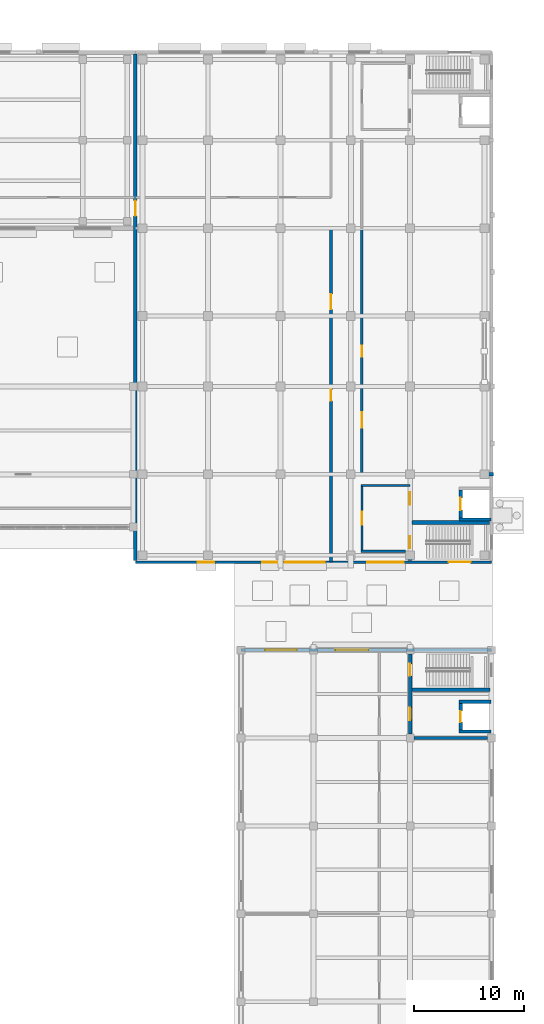
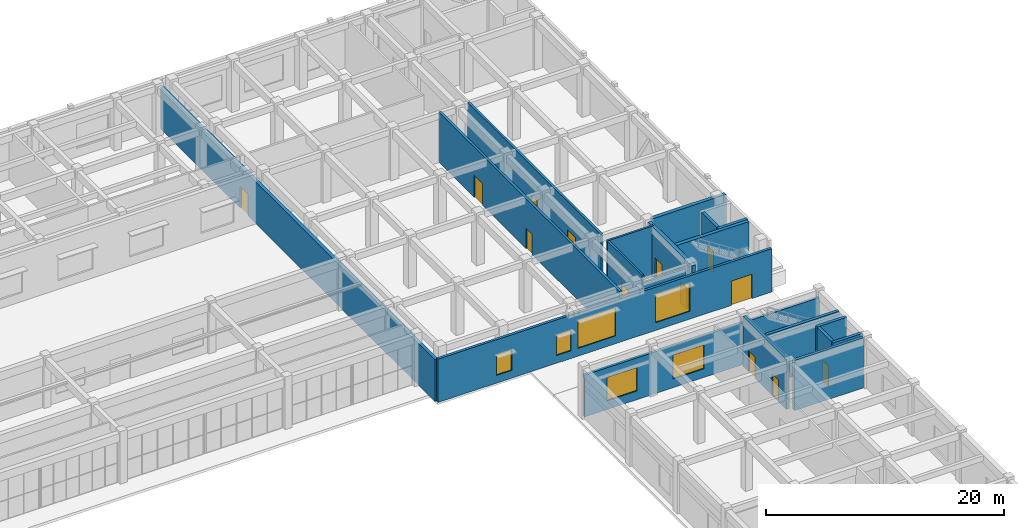
# One storey, part 35 of 46: 19 walls, 13 doors, 6 windows, 19 openings.
"""IFC4 building model written with IfcOpenShell, lengths in metres."""

from ifc_helpers import new_model, si_unit, direction, frame, frame_2d, origin, place, context, subcontext, project, spatial, rectangle, extrude, material, layer, layer_set, type_object, element, fill, save


model = new_model("IFC4")

# Units and contexts
model_context = context("Model", 3, precision=1e-05, world=origin(), true_north=direction((0.0, 1.0)))
body_context = subcontext(model_context, "Body", "Model", "MODEL_VIEW")
ifc_project = project(units=[si_unit("LENGTHUNIT", "METRE"), si_unit("AREAUNIT", "SQUARE_METRE"), si_unit("VOLUMEUNIT", "CUBIC_METRE"), si_unit("PLANEANGLEUNIT", "RADIAN"), si_unit("MASSUNIT", "GRAM", prefix="KILO")], contexts=[model_context])

# Site, building, storey
site_placement = place(None, origin())
site = spatial("IfcSite", under=ifc_project, at=site_placement, CompositionType="ELEMENT")
building_placement = place(site_placement, origin())
building = spatial("IfcBuilding", under=site, at=building_placement, Name="Cinchona Park Media Centre", CompositionType="ELEMENT")
storey_placement = place(building_placement, origin())
storey = spatial("IfcBuildingStorey", under=building, at=storey_placement, Name="L00", CompositionType="ELEMENT", Elevation=0.0)

# Wall, openings, doors
ifc_material_1 = material(Name="Acoustic Double-Stud Gypsum Partition", Category="gypsum")
ifc_layer_1 = layer(ifc_material_1, 0.2099609375)
ifc_layer_set_1 = layer_set([ifc_layer_1], Name="Acoustic Double-Stud Gypsum Partition")
wall_type_1 = type_object("IfcWallType", Name="WALL-W-AC210", PredefinedType="PARTITIONING", material=ifc_layer_set_1)
wall_1_placement = place(storey_placement, frame((160.199951171875, 102.0, 0.0), z_axis=(0.0, 0.0, 1.0), x_axis=(0.0, -1.0, 0.0)))
wall_1 = element("IfcWall", 1, at=wall_1_placement, inside=storey, type_object=wall_type_1, Name="Interior Wall W-AC210 L00", PredefinedType="PARTITIONING", context=body_context, shape_type="SweptSolid", body=[
    extrude(rectangle(XDim=22.39990234375, YDim=0.2099609375, at=frame_2d((11.199951171875, 0.0))), origin(), (0.0, 0.0, 1.0), 5.139892578125),
])
opening_1_placement = place(wall_1_placement, frame((10.7099609375, 0.0, 0.0)))
opening_1 = element("IfcOpeningElement", 2, at=opening_1_placement, cuts=wall_1, Name="Opening D222", PredefinedType="OPENING", context=body_context, shape_type="SweptSolid", body=[
    extrude(rectangle(XDim=0.97998046875, YDim=2.10009765625, at=frame_2d((0.489990234375, 1.050048828125))), frame((0.0, 0.114990234375, 0.0), z_axis=(0.0, -1.0, 0.0), x_axis=(1.0, 0.0, 0.0)), (0.0, 0.0, 1.0), 0.22998046875),
])
opening_2_placement = place(wall_1_placement, frame((16.77197265625, 0.0, 0.0)))
opening_2 = element("IfcOpeningElement", 3, at=opening_2_placement, cuts=wall_1, Name="Opening D223", PredefinedType="OPENING", context=body_context, shape_type="SweptSolid", body=[
    extrude(rectangle(XDim=1.39990234375, YDim=2.25, at=frame_2d((0.699951171875, 1.125))), frame((0.0, 0.114990234375, 0.0), z_axis=(0.0, -1.0, 0.0), x_axis=(1.0, 0.0, 0.0)), (0.0, 0.0, 1.0), 0.22998046875),
])
ifc_material_2 = material(Name="Acoustic Double-Seal Steel Door", Category="steel")
door_type_1 = type_object("IfcDoorType", Name="DOOR-DT-AC", OperationType="NOTDEFINED", PredefinedType="DOOR", material=ifc_material_2)
door_1_placement = place(opening_2_placement, origin())
door_1 = element("IfcDoor", 4, at=door_1_placement, inside=storey, type_object=door_type_1, Name="Interior Door D223", OperationType="SINGLE_SWING_LEFT", OverallHeight=2.25, OverallWidth=1.39990234375, PredefinedType="DOOR", context=body_context, shape_type="SweptSolid", body=[
    extrude(rectangle(XDim=1.39990234375, YDim=2.25, at=frame_2d((0.699951171875, 1.125))), frame((0.0, 0.02490234375, 0.0), z_axis=(0.0, -1.0, 0.0), x_axis=(1.0, 0.0, 0.0)), (0.0, 0.0, 1.0), 0.050048828125),
])
fill(opening_2, door_1)
ifc_material_3 = material(Name="Fire-Rated Acoustic Timber-Steel Door", Category="steel")
door_type_2 = type_object("IfcDoorType", Name="DOOR-DT03", OperationType="NOTDEFINED", PredefinedType="DOOR", material=ifc_material_3)
door_2_placement = place(opening_1_placement, origin())
door_2 = element("IfcDoor", 5, at=door_2_placement, inside=storey, type_object=door_type_2, Name="Interior Door D222", OperationType="SINGLE_SWING_RIGHT", OverallHeight=2.10009765625, OverallWidth=0.97998046875, PredefinedType="DOOR", context=body_context, shape_type="SweptSolid", body=[
    extrude(rectangle(XDim=0.97998046875, YDim=2.10009765625, at=frame_2d((0.489990234375, 1.050048828125))), frame((0.0, 0.02490234375, 0.0), z_axis=(0.0, -1.0, 0.0), x_axis=(1.0, 0.0, 0.0)), (0.0, 0.0, 1.0), 0.050048828125),
])
fill(opening_1, door_2)

ifc_material_4 = material(Name="Acoustic Double-Stud Gypsum Partition", Category="gypsum")
ifc_layer_2 = layer(ifc_material_4, 0.239990234375)
ifc_layer_set_2 = layer_set([ifc_layer_2], Name="Acoustic Double-Stud Gypsum Partition")
wall_type_2 = type_object("IfcWallType", Name="WALL-W-AC240", PredefinedType="PARTITIONING", material=ifc_layer_set_2)
wall_2_placement = place(storey_placement, frame((157.39990234375, 71.60009765625, 0.0), z_axis=(0.0, 0.0, 1.0), x_axis=(0.0, 1.0, 0.0)))
wall_2 = element("IfcWall", 6, at=wall_2_placement, inside=storey, type_object=wall_type_2, Name="Interior Wall W-AC240 L00", PredefinedType="PARTITIONING", context=body_context, shape_type="SweptSolid", body=[
    extrude(rectangle(XDim=30.39990234375, YDim=0.239990234375, at=frame_2d((15.199951171875, 0.0))), origin(), (0.0, 0.0, 1.0), 5.139892578125),
])
opening_3_placement = place(wall_2_placement, frame((14.68994140625, 0.0, 0.0)))
opening_3 = element("IfcOpeningElement", 7, at=opening_3_placement, cuts=wall_2, Name="Opening D218", PredefinedType="OPENING", context=body_context, shape_type="SweptSolid", body=[
    extrude(rectangle(XDim=1.02001953125, YDim=2.10009765625, at=frame_2d((0.510009765625, 1.050048828125))), frame((0.0, 0.1298828125, 0.0), z_axis=(0.0, -1.0, 0.0), x_axis=(1.0, 0.0, 0.0)), (0.0, 0.0, 1.0), 0.260009765625),
])
opening_4_placement = place(wall_2_placement, frame((23.011962890625, 0.0, 0.0)))
opening_4 = element("IfcOpeningElement", 8, at=opening_4_placement, cuts=wall_2, Name="Opening D219", PredefinedType="OPENING", context=body_context, shape_type="SweptSolid", body=[
    extrude(rectangle(XDim=1.39990234375, YDim=2.25, at=frame_2d((0.699951171875, 1.125))), frame((0.0, 0.1298828125, 0.0), z_axis=(0.0, -1.0, 0.0), x_axis=(1.0, 0.0, 0.0)), (0.0, 0.0, 1.0), 0.260009765625),
])
door_3_placement = place(opening_4_placement, origin())
door_3 = element("IfcDoor", 9, at=door_3_placement, inside=storey, type_object=door_type_1, Name="Interior Door D219", OperationType="SINGLE_SWING_LEFT", OverallHeight=2.25, OverallWidth=1.39990234375, PredefinedType="DOOR", context=body_context, shape_type="SweptSolid", body=[
    extrude(rectangle(XDim=1.39990234375, YDim=2.25, at=frame_2d((0.699951171875, 1.125))), frame((0.0, 0.02490234375, 0.0), z_axis=(0.0, -1.0, 0.0), x_axis=(1.0, 0.0, 0.0)), (0.0, 0.0, 1.0), 0.050048828125),
])
fill(opening_4, door_3)
ifc_material_5 = material(Name="Solid-Core Timber Acoustic Door", Category="wood")
door_type_3 = type_object("IfcDoorType", Name="DOOR-DT05", OperationType="NOTDEFINED", PredefinedType="DOOR", material=ifc_material_5)
door_4_placement = place(opening_3_placement, origin())
door_4 = element("IfcDoor", 10, at=door_4_placement, inside=storey, type_object=door_type_3, Name="Interior Door D218", OperationType="SINGLE_SWING_RIGHT", OverallHeight=2.10009765625, OverallWidth=1.02001953125, PredefinedType="DOOR", context=body_context, shape_type="SweptSolid", body=[
    extrude(rectangle(XDim=1.02001953125, YDim=2.10009765625, at=frame_2d((0.510009765625, 1.050048828125))), frame((0.0, 0.02490234375, 0.0), z_axis=(0.0, -1.0, 0.0), x_axis=(1.0, 0.0, 0.0)), (0.0, 0.0, 1.0), 0.050048828125),
])
fill(opening_3, door_4)

# Wall
ifc_material_6 = material(Name="Concrete C40/50", Category="concrete")
ifc_layer_3 = layer(ifc_material_6, 0.300048828125)
ifc_layer_set_3 = layer_set([ifc_layer_3], Name="Concrete C40/50")
wall_type_3 = type_object("IfcWallType", Name="WALL-W-CR300", PredefinedType="SHEAR", material=ifc_layer_set_3)
wall_3_placement = place(storey_placement, frame((164.951904296875, 55.60009765625, 0.0), z_axis=(0.0, 0.0, 1.0), x_axis=(1.0, 0.0, 0.0)))
element("IfcWall", 11, at=wall_3_placement, inside=storey, type_object=wall_type_3, Name="Core Shear Wall W-CR300 L00", PredefinedType="SHEAR", context=body_context, shape_type="SweptSolid", body=[
    extrude(rectangle(XDim=6.696044921875, YDim=0.300048828125, at=frame_2d((3.34814453125, 0.0))), origin(), (0.0, 0.0, 1.0), 5.139892578125),
])

# Wall, openings, doors
wall_4_placement = place(storey_placement, frame((164.60009765625, 55.951904296875, 0.0), z_axis=(0.0, 0.0, 1.0), x_axis=(0.0, 1.0, 0.0)))
wall_4 = element("IfcWall", 12, at=wall_4_placement, inside=storey, type_object=wall_type_3, Name="Core Shear Wall W-CR300 L00", PredefinedType="SHEAR", context=body_context, shape_type="SweptSolid", body=[
    extrude(rectangle(XDim=7.296142578125, YDim=0.300048828125, at=frame_2d((3.64794921875, 0.0))), origin(), (0.0, 0.0, 1.0), 5.139892578125),
])
opening_5_placement = place(wall_4_placement, frame((5.298095703125, 0.0, 0.0)))
opening_5 = element("IfcOpeningElement", 13, at=opening_5_placement, cuts=wall_4, Name="Opening D056", PredefinedType="OPENING", context=body_context, shape_type="SweptSolid", body=[
    extrude(rectangle(XDim=1.10009765625, YDim=2.14990234375, at=frame_2d((0.550048828125, 1.074951171875))), frame((0.0, 0.159912109375, 0.0), z_axis=(0.0, -1.0, 0.0), x_axis=(1.0, 0.0, 0.0)), (0.0, 0.0, 1.0), 0.320068359375),
])
opening_6_placement = place(wall_4_placement, frame((1.27294921875, 0.0, 0.0)))
opening_6 = element("IfcOpeningElement", 14, at=opening_6_placement, cuts=wall_4, Name="Opening D057", PredefinedType="OPENING", context=body_context, shape_type="SweptSolid", body=[
    extrude(rectangle(XDim=1.14990234375, YDim=2.199951171875, at=frame_2d((0.574951171875, 1.10009765625))), frame((0.0, 0.159912109375, 0.0), z_axis=(0.0, -1.0, 0.0), x_axis=(1.0, 0.0, 0.0)), (0.0, 0.0, 1.0), 0.320068359375),
])
ifc_material_7 = material(Name="Insulated Fire-Rated Steel Door", Category="steel")
door_type_4 = type_object("IfcDoorType", Name="DOOR-DT-FF", OperationType="NOTDEFINED", PredefinedType="DOOR", material=ifc_material_7)
door_5_placement = place(opening_6_placement, origin())
door_5 = element("IfcDoor", 15, at=door_5_placement, inside=storey, type_object=door_type_4, Name="Interior Door D057", OperationType="SINGLE_SWING_LEFT", OverallHeight=2.199951171875, OverallWidth=1.14990234375, PredefinedType="DOOR", context=body_context, shape_type="SweptSolid", body=[
    extrude(rectangle(XDim=1.14990234375, YDim=2.199951171875, at=frame_2d((0.574951171875, 1.10009765625))), frame((0.0, 0.02490234375, 0.0), z_axis=(0.0, -1.0, 0.0), x_axis=(1.0, 0.0, 0.0)), (0.0, 0.0, 1.0), 0.050048828125),
])
fill(opening_6, door_5)
ifc_material_8 = material(Name="Insulated Fire-Rated Steel Door", Category="steel")
door_type_5 = type_object("IfcDoorType", Name="DOOR-DT-ST", OperationType="NOTDEFINED", PredefinedType="DOOR", material=ifc_material_8)
door_6_placement = place(opening_5_placement, origin())
door_6 = element("IfcDoor", 16, at=door_6_placement, inside=storey, type_object=door_type_5, Name="Interior Door D056", OperationType="SINGLE_SWING_RIGHT", OverallHeight=2.14990234375, OverallWidth=1.10009765625, PredefinedType="DOOR", context=body_context, shape_type="SweptSolid", body=[
    extrude(rectangle(XDim=1.10009765625, YDim=2.14990234375, at=frame_2d((0.550048828125, 1.074951171875))), frame((0.0, 0.02490234375, 0.0), z_axis=(0.0, -1.0, 0.0), x_axis=(1.0, 0.0, 0.0)), (0.0, 0.0, 1.0), 0.050048828125),
])
fill(opening_5, door_6)

# Walls
wall_5_placement = place(storey_placement, frame((164.75, 60.0, 0.0), z_axis=(0.0, 0.0, 1.0), x_axis=(1.0, 0.0, 0.0)))
element("IfcWall", 17, at=wall_5_placement, inside=storey, type_object=wall_type_3, Name="Core Shear Wall W-CR300 L00", PredefinedType="SHEAR", context=body_context, shape_type="SweptSolid", body=[
    extrude(rectangle(XDim=7.10009765625, YDim=0.300048828125, at=frame_2d((3.550048828125, 0.0))), origin(), (0.0, 0.0, 1.0), 5.139892578125),
])
ifc_material_9 = material(Name="Concrete C40/50", Category="concrete")
ifc_layer_4 = layer(ifc_material_9, 0.35009765625)
ifc_layer_set_4 = layer_set([ifc_layer_4], Name="Concrete C40/50")
wall_type_4 = type_object("IfcWallType", Name="WALL-W-CR350", PredefinedType="SHEAR", material=ifc_layer_set_4)
wall_6_placement = place(storey_placement, frame((165.001953125, 79.60009765625, 0.0), z_axis=(0.0, 0.0, 1.0), x_axis=(1.0, 0.0, 0.0)))
element("IfcWall", 18, at=wall_6_placement, inside=storey, type_object=wall_type_4, Name="Core Shear Wall W-CR350 L00", PredefinedType="SHEAR", context=body_context, shape_type="SweptSolid", body=[
    extrude(rectangle(XDim=7.173095703125, YDim=0.35009765625, at=frame_2d((3.58642578125, 0.0))), origin(), (0.0, 0.0, 1.0), 5.139892578125),
])

# Wall, openings, doors
wall_7_placement = place(storey_placement, frame((164.60009765625, 71.77490234375, 0.0), z_axis=(0.0, 0.0, 1.0), x_axis=(0.0, 1.0, 0.0)))
wall_7 = element("IfcWall", 19, at=wall_7_placement, inside=storey, type_object=wall_type_4, Name="Core Shear Wall W-CR350 L00", PredefinedType="SHEAR", context=body_context, shape_type="SweptSolid", body=[
    extrude(rectangle(XDim=7.423095703125, YDim=0.35009765625, at=frame_2d((3.71142578125, 0.0))), origin(), (0.0, 0.0, 1.0), 5.139892578125),
])
opening_7_placement = place(wall_7_placement, frame((1.074951171875, 0.0, 0.0)))
opening_7 = element("IfcOpeningElement", 20, at=opening_7_placement, cuts=wall_7, Name="Opening D042", PredefinedType="OPENING", context=body_context, shape_type="SweptSolid", body=[
    extrude(rectangle(XDim=1.10009765625, YDim=2.14990234375, at=frame_2d((0.550048828125, 1.074951171875))), frame((0.0, 0.18505859375, 0.0), z_axis=(0.0, -1.0, 0.0), x_axis=(1.0, 0.0, 0.0)), (0.0, 0.0, 1.0), 0.3701171875),
])
opening_8_placement = place(wall_7_placement, frame((5.050048828125, 0.0, 0.0)))
opening_8 = element("IfcOpeningElement", 21, at=opening_8_placement, cuts=wall_7, Name="Opening D043", PredefinedType="OPENING", context=body_context, shape_type="SweptSolid", body=[
    extrude(rectangle(XDim=1.14990234375, YDim=2.199951171875, at=frame_2d((0.574951171875, 1.10009765625))), frame((0.0, 0.18505859375, 0.0), z_axis=(0.0, -1.0, 0.0), x_axis=(1.0, 0.0, 0.0)), (0.0, 0.0, 1.0), 0.3701171875),
])
door_7_placement = place(opening_8_placement, origin())
door_7 = element("IfcDoor", 22, at=door_7_placement, inside=storey, type_object=door_type_4, Name="Interior Door D043", OperationType="SINGLE_SWING_LEFT", OverallHeight=2.199951171875, OverallWidth=1.14990234375, PredefinedType="DOOR", context=body_context, shape_type="SweptSolid", body=[
    extrude(rectangle(XDim=1.14990234375, YDim=2.199951171875, at=frame_2d((0.574951171875, 1.10009765625))), frame((0.0, 0.02490234375, 0.0), z_axis=(0.0, -1.0, 0.0), x_axis=(1.0, 0.0, 0.0)), (0.0, 0.0, 1.0), 0.050048828125),
])
fill(opening_8, door_7)
door_8_placement = place(opening_7_placement, origin())
door_8 = element("IfcDoor", 23, at=door_8_placement, inside=storey, type_object=door_type_5, Name="Interior Door D042", OperationType="SINGLE_SWING_RIGHT", OverallHeight=2.14990234375, OverallWidth=1.10009765625, PredefinedType="DOOR", context=body_context, shape_type="SweptSolid", body=[
    extrude(rectangle(XDim=1.10009765625, YDim=2.14990234375, at=frame_2d((0.550048828125, 1.074951171875))), frame((0.0, 0.02490234375, 0.0), z_axis=(0.0, -1.0, 0.0), x_axis=(1.0, 0.0, 0.0)), (0.0, 0.0, 1.0), 0.050048828125),
])
fill(opening_7, door_8)

# Wall
wall_8_placement = place(storey_placement, frame((164.77490234375, 75.199951171875, 0.0), z_axis=(0.0, 0.0, 1.0), x_axis=(1.0, 0.0, 0.0)))
element("IfcWall", 24, at=wall_8_placement, inside=storey, type_object=wall_type_4, Name="Core Shear Wall W-CR350 L00", PredefinedType="SHEAR", context=body_context, shape_type="SweptSolid", body=[
    extrude(rectangle(XDim=7.050048828125, YDim=0.35009765625, at=frame_2d((3.52490234375, 0.0))), origin(), (0.0, 0.0, 1.0), 5.139892578125),
])

# Wall, opening, door
ifc_material_10 = material(Name="Precast concrete C40/50", Category="concrete")
ifc_layer_5 = layer(ifc_material_10, 0.320068359375)
ifc_layer_set_5 = layer_set([ifc_layer_5], Name="Precast concrete C40/50")
wall_type_5 = type_object("IfcWallType", Name="WALL-W-EX02", PredefinedType="SOLIDWALL", material=ifc_layer_set_5)
wall_9_placement = place(storey_placement, frame((139.60009765625, 71.739990234375, 0.0), z_axis=(0.0, 0.0, 1.0), x_axis=(0.0, 1.0, 0.0)))
wall_9 = element("IfcWall", 25, at=wall_9_placement, inside=storey, type_object=wall_type_5, Name="Exterior Wall W-EX02 V7 L00", PredefinedType="SOLIDWALL", context=body_context, shape_type="SweptSolid", body=[
    extrude(rectangle(XDim=46.1201171875, YDim=0.320068359375, at=frame_2d((23.06005859375, 0.0))), origin(), (0.0, 0.0, 1.0), 4.2900390625),
])
opening_9_placement = place(wall_9_placement, frame((31.3798828125, 0.0, 0.0)))
opening_9 = element("IfcOpeningElement", 26, at=opening_9_placement, cuts=wall_9, Name="Opening D131", PredefinedType="OPENING", context=body_context, shape_type="SweptSolid", body=[
    extrude(rectangle(XDim=1.39990234375, YDim=2.25, at=frame_2d((0.699951171875, 1.125))), frame((0.0, 0.169921875, 0.0), z_axis=(0.0, -1.0, 0.0), x_axis=(1.0, 0.0, 0.0)), (0.0, 0.0, 1.0), 0.340087890625),
])
door_9_placement = place(opening_9_placement, origin())
door_9 = element("IfcDoor", 27, at=door_9_placement, inside=storey, type_object=door_type_1, Name="Interior Door D131", OperationType="SINGLE_SWING_LEFT", OverallHeight=2.25, OverallWidth=1.39990234375, PredefinedType="DOOR", context=body_context, shape_type="SweptSolid", body=[
    extrude(rectangle(XDim=1.39990234375, YDim=2.25, at=frame_2d((0.699951171875, 1.125))), frame((0.0, 0.02490234375, 0.0), z_axis=(0.0, -1.0, 0.0), x_axis=(1.0, 0.0, 0.0)), (0.0, 0.0, 1.0), 0.050048828125),
])
fill(opening_9, door_9)

# Wall, openings, windows
ifc_material_11 = material(Name="Precast concrete C40/50", Category="concrete")
ifc_layer_6 = layer(ifc_material_11, 0.25)
ifc_layer_set_6 = layer_set([ifc_layer_6], Name="Precast concrete C40/50")
wall_type_6 = type_object("IfcWallType", Name="WALL-W-EX04", PredefinedType="SOLIDWALL", material=ifc_layer_set_6)
wall_10_placement = place(storey_placement, frame((149.199951171875, 63.60009765625, 0.0), z_axis=(0.0, 0.0, 1.0), x_axis=(1.0, 0.0, 0.0)))
wall_10 = element("IfcWall", 28, at=wall_10_placement, inside=storey, type_object=wall_type_6, Name="Exterior Wall W-EX04 V6 L00", PredefinedType="SOLIDWALL", context=body_context, shape_type="SweptSolid", body=[
    extrude(rectangle(XDim=22.800048828125, YDim=0.25, at=frame_2d((11.39990234375, 0.0))), origin(), (0.0, 0.0, 1.0), 4.2900390625),
])
opening_10_placement = place(wall_10_placement, frame((2.199951171875, 0.0, 0.89990234375)))
opening_10 = element("IfcOpeningElement", 29, at=opening_10_placement, cuts=wall_10, Name="Opening WN16", PredefinedType="OPENING", context=body_context, shape_type="SweptSolid", body=[
    extrude(rectangle(XDim=2.89990234375, YDim=2.39990234375, at=frame_2d((1.449951171875, 1.199951171875))), frame((0.0, 0.135009765625, 0.0), z_axis=(0.0, -1.0, 0.0), x_axis=(1.0, 0.0, 0.0)), (0.0, 0.0, 1.0), 0.27001953125),
])
opening_11_placement = place(wall_10_placement, frame((8.60009765625, 0.0, 0.89990234375)))
opening_11 = element("IfcOpeningElement", 30, at=opening_11_placement, cuts=wall_10, Name="Opening WN17", PredefinedType="OPENING", context=body_context, shape_type="SweptSolid", body=[
    extrude(rectangle(XDim=3.0, YDim=2.449951171875, at=frame_2d((1.5, 1.22509765625))), frame((0.0, 0.135009765625, 0.0), z_axis=(0.0, -1.0, 0.0), x_axis=(1.0, 0.0, 0.0)), (0.0, 0.0, 1.0), 0.27001953125),
])
ifc_material_12 = material(Name="Thermally Broken Aluminium Solar-Control Window", Category="aluminium")
window_type_1 = type_object("IfcWindowType", Name="WIN-WN16", PartitioningType="SINGLE_PANEL", PredefinedType="WINDOW", material=ifc_material_12)
window_1_placement = place(opening_10_placement, origin())
window_1 = element("IfcWindow", 31, at=window_1_placement, inside=storey, type_object=window_type_1, Name="Window WN16 L00", OverallHeight=2.39990234375, OverallWidth=2.89990234375, PartitioningType="SINGLE_PANEL", PredefinedType="WINDOW", context=body_context, shape_type="SweptSolid", body=[
    extrude(rectangle(XDim=2.89990234375, YDim=2.39990234375, at=frame_2d((1.449951171875, 1.199951171875))), frame((0.0, 0.030029296875, 0.0), z_axis=(0.0, -1.0, 0.0), x_axis=(1.0, 0.0, 0.0)), (0.0, 0.0, 1.0), 0.06005859375),
])
fill(opening_10, window_1)
ifc_material_13 = material(Name="Thermally Broken Aluminium Solar-Control Window", Category="aluminium")
window_type_2 = type_object("IfcWindowType", Name="WIN-WN17", PartitioningType="SINGLE_PANEL", PredefinedType="WINDOW", material=ifc_material_13)
window_2_placement = place(opening_11_placement, origin())
window_2 = element("IfcWindow", 32, at=window_2_placement, inside=storey, type_object=window_type_2, Name="Window WN17 L00", OverallHeight=2.449951171875, OverallWidth=3.0, PartitioningType="SINGLE_PANEL", PredefinedType="WINDOW", context=body_context, shape_type="SweptSolid", body=[
    extrude(rectangle(XDim=3.0, YDim=2.449951171875, at=frame_2d((1.5, 1.22509765625))), frame((0.0, 0.030029296875, 0.0), z_axis=(0.0, -1.0, 0.0), x_axis=(1.0, 0.0, 0.0)), (0.0, 0.0, 1.0), 0.06005859375),
])
fill(opening_11, window_2)

# Wall, openings, door, windows
wall_11_placement = place(storey_placement, frame((172.0, 71.60009765625, 0.0), z_axis=(0.0, 0.0, 1.0), x_axis=(-1.0, 0.0, 0.0)))
wall_11 = element("IfcWall", 33, at=wall_11_placement, inside=storey, type_object=wall_type_6, Name="Exterior Wall W-EX04 V7 L00", PredefinedType="SOLIDWALL", context=body_context, shape_type="SweptSolid", body=[
    extrude(rectangle(XDim=32.39990234375, YDim=0.25, at=frame_2d((16.199951171875, 0.0))), origin(), (0.0, 0.0, 1.0), 4.449951171875),
])
opening_12_placement = place(wall_11_placement, frame((1.89990234375, 0.0, 0.0)))
opening_12 = element("IfcOpeningElement", 34, at=opening_12_placement, cuts=wall_11, Name="Opening D018", PredefinedType="OPENING", context=body_context, shape_type="SweptSolid", body=[
    extrude(rectangle(XDim=2.0, YDim=2.5, at=frame_2d((1.0, 1.25))), frame((0.0, 0.135009765625, 0.0), z_axis=(0.0, -1.0, 0.0), x_axis=(1.0, 0.0, 0.0)), (0.0, 0.0, 1.0), 0.27001953125),
])
opening_13_placement = place(wall_11_placement, frame((7.9599609375, 0.0, 0.800048828125)))
opening_13 = element("IfcOpeningElement", 35, at=opening_13_placement, cuts=wall_11, Name="Opening WN43", PredefinedType="OPENING", context=body_context, shape_type="SweptSolid", body=[
    extrude(rectangle(XDim=3.35009765625, YDim=2.89990234375, at=frame_2d((1.675048828125, 1.449951171875))), frame((0.0, 0.135009765625, 0.0), z_axis=(0.0, -1.0, 0.0), x_axis=(1.0, 0.0, 0.0)), (0.0, 0.0, 1.0), 0.27001953125),
])
opening_14_placement = place(wall_11_placement, frame((15.169921875, 0.0, 0.800048828125)))
opening_14 = element("IfcOpeningElement", 36, at=opening_14_placement, cuts=wall_11, Name="Opening WN44", PredefinedType="OPENING", context=body_context, shape_type="SweptSolid", body=[
    extrude(rectangle(XDim=3.64990234375, YDim=2.89990234375, at=frame_2d((1.824951171875, 1.449951171875))), frame((0.0, 0.135009765625, 0.0), z_axis=(0.0, -1.0, 0.0), x_axis=(1.0, 0.0, 0.0)), (0.0, 0.0, 1.0), 0.27001953125),
])
opening_15_placement = place(wall_11_placement, frame((19.47998046875, 0.0, 0.800048828125)))
opening_15 = element("IfcOpeningElement", 37, at=opening_15_placement, cuts=wall_11, Name="Opening WN01", PredefinedType="OPENING", context=body_context, shape_type="SweptSolid", body=[
    extrude(rectangle(XDim=1.39990234375, YDim=2.10009765625, at=frame_2d((0.699951171875, 1.050048828125))), frame((0.0, 0.135009765625, 0.0), z_axis=(0.0, -1.0, 0.0), x_axis=(1.0, 0.0, 0.0)), (0.0, 0.0, 1.0), 0.27001953125),
])
opening_16_placement = place(wall_11_placement, frame((25.239990234375, 0.0, 0.800048828125)))
opening_16 = element("IfcOpeningElement", 38, at=opening_16_placement, cuts=wall_11, Name="Opening WN02", PredefinedType="OPENING", context=body_context, shape_type="SweptSolid", body=[
    extrude(rectangle(XDim=1.5, YDim=2.10009765625, at=frame_2d((0.75, 1.050048828125))), frame((0.0, 0.135009765625, 0.0), z_axis=(0.0, -1.0, 0.0), x_axis=(1.0, 0.0, 0.0)), (0.0, 0.0, 1.0), 0.27001953125),
])
ifc_material_14 = material(Name="Insulated Steel and Laminated Glass Door", Category="steel")
door_type_6 = type_object("IfcDoorType", Name="DOOR-DT-EX2", OperationType="NOTDEFINED", PredefinedType="DOOR", material=ifc_material_14)
door_10_placement = place(opening_12_placement, origin())
door_10 = element("IfcDoor", 39, at=door_10_placement, inside=storey, type_object=door_type_6, Name="Exterior Door D018", OperationType="DOUBLE_SWING_LEFT", OverallHeight=2.5, OverallWidth=2.0, PredefinedType="DOOR", context=body_context, shape_type="SweptSolid", body=[
    extrude(rectangle(XDim=2.0, YDim=2.5, at=frame_2d((1.0, 1.25))), frame((0.0, 0.02490234375, 0.0), z_axis=(0.0, -1.0, 0.0), x_axis=(1.0, 0.0, 0.0)), (0.0, 0.0, 1.0), 0.050048828125),
])
fill(opening_12, door_10)
ifc_material_15 = material(Name="Thermally Broken Aluminium Solar-Control Window", Category="aluminium")
window_type_3 = type_object("IfcWindowType", Name="WIN-WN01", PartitioningType="SINGLE_PANEL", PredefinedType="WINDOW", material=ifc_material_15)
window_3_placement = place(opening_15_placement, origin())
window_3 = element("IfcWindow", 40, at=window_3_placement, inside=storey, type_object=window_type_3, Name="Window WN01 L00", OverallHeight=2.10009765625, OverallWidth=1.39990234375, PartitioningType="SINGLE_PANEL", PredefinedType="WINDOW", context=body_context, shape_type="SweptSolid", body=[
    extrude(rectangle(XDim=1.39990234375, YDim=2.10009765625, at=frame_2d((0.699951171875, 1.050048828125))), frame((0.0, 0.030029296875, 0.0), z_axis=(0.0, -1.0, 0.0), x_axis=(1.0, 0.0, 0.0)), (0.0, 0.0, 1.0), 0.06005859375),
])
fill(opening_15, window_3)
ifc_material_16 = material(Name="Thermally Broken Aluminium Solar-Control Window", Category="aluminium")
window_type_4 = type_object("IfcWindowType", Name="WIN-WN02", PartitioningType="SINGLE_PANEL", PredefinedType="WINDOW", material=ifc_material_16)
window_4_placement = place(opening_16_placement, origin())
window_4 = element("IfcWindow", 41, at=window_4_placement, inside=storey, type_object=window_type_4, Name="Window WN02 L00", OverallHeight=2.10009765625, OverallWidth=1.5, PartitioningType="SINGLE_PANEL", PredefinedType="WINDOW", context=body_context, shape_type="SweptSolid", body=[
    extrude(rectangle(XDim=1.5, YDim=2.10009765625, at=frame_2d((0.75, 1.050048828125))), frame((0.0, 0.030029296875, 0.0), z_axis=(0.0, -1.0, 0.0), x_axis=(1.0, 0.0, 0.0)), (0.0, 0.0, 1.0), 0.06005859375),
])
fill(opening_16, window_4)
ifc_material_17 = material(Name="Thermally Broken Aluminium Solar-Control Window", Category="aluminium")
window_type_5 = type_object("IfcWindowType", Name="WIN-WN43", PartitioningType="SINGLE_PANEL", PredefinedType="WINDOW", material=ifc_material_17)
window_5_placement = place(opening_13_placement, origin())
window_5 = element("IfcWindow", 42, at=window_5_placement, inside=storey, type_object=window_type_5, Name="Window WN43 L00", OverallHeight=2.89990234375, OverallWidth=3.35009765625, PartitioningType="SINGLE_PANEL", PredefinedType="WINDOW", context=body_context, shape_type="SweptSolid", body=[
    extrude(rectangle(XDim=3.35009765625, YDim=2.89990234375, at=frame_2d((1.675048828125, 1.449951171875))), frame((0.0, 0.030029296875, 0.0), z_axis=(0.0, -1.0, 0.0), x_axis=(1.0, 0.0, 0.0)), (0.0, 0.0, 1.0), 0.06005859375),
])
fill(opening_13, window_5)
ifc_material_18 = material(Name="Thermally Broken Aluminium Solar-Control Window", Category="aluminium")
window_type_6 = type_object("IfcWindowType", Name="WIN-WN44", PartitioningType="SINGLE_PANEL", PredefinedType="WINDOW", material=ifc_material_18)
window_6_placement = place(opening_14_placement, origin())
window_6 = element("IfcWindow", 43, at=window_6_placement, inside=storey, type_object=window_type_6, Name="Window WN44 L00", OverallHeight=2.89990234375, OverallWidth=3.64990234375, PartitioningType="SINGLE_PANEL", PredefinedType="WINDOW", context=body_context, shape_type="SweptSolid", body=[
    extrude(rectangle(XDim=3.64990234375, YDim=2.89990234375, at=frame_2d((1.824951171875, 1.449951171875))), frame((0.0, 0.030029296875, 0.0), z_axis=(0.0, -1.0, 0.0), x_axis=(1.0, 0.0, 0.0)), (0.0, 0.0, 1.0), 0.06005859375),
])
fill(opening_14, window_6)

# Walls
ifc_material_19 = material(Name="Fire-Rated Gypsum Stud Partition", Category="gypsum")
ifc_layer_7 = layer(ifc_material_19, 0.18994140625)
ifc_layer_set_7 = layer_set([ifc_layer_7], Name="Fire-Rated Gypsum Stud Partition")
wall_type_7 = type_object("IfcWallType", Name="WALL-W-PT190", PredefinedType="PARTITIONING", material=ifc_layer_set_7)
wall_12_placement = place(storey_placement, frame((160.10498046875, 72.60009765625, 0.0), z_axis=(0.0, 0.0, 1.0), x_axis=(1.0, 0.0, 0.0)))
element("IfcWall", 44, at=wall_12_placement, inside=storey, type_object=wall_type_7, Name="Interior Wall W-PT190 L00", PredefinedType="PARTITIONING", context=body_context, shape_type="SweptSolid", body=[
    extrude(rectangle(XDim=4.093017578125, YDim=0.18994140625, at=frame_2d((2.04638671875, 0.0))), origin(), (0.0, 0.0, 1.0), 4.489990234375),
])
wall_13_placement = place(storey_placement, frame((160.10498046875, 78.60009765625, 0.0), z_axis=(0.0, 0.0, 1.0), x_axis=(1.0, 0.0, 0.0)))
element("IfcWall", 45, at=wall_13_placement, inside=storey, type_object=wall_type_7, Name="Interior Wall W-PT190 L00", PredefinedType="PARTITIONING", context=body_context, shape_type="SweptSolid", body=[
    extrude(rectangle(XDim=4.4951171875, YDim=0.18994140625, at=frame_2d((2.24755859375, 0.0))), origin(), (0.0, 0.0, 1.0), 5.139892578125),
])

# Wall, opening, door
wall_14_placement = place(storey_placement, frame((160.199951171875, 72.695068359375, 0.0), z_axis=(0.0, 0.0, 1.0), x_axis=(0.0, 1.0, 0.0)))
wall_14 = element("IfcWall", 46, at=wall_14_placement, inside=storey, type_object=wall_type_7, Name="Interior Wall W-PT190 L00", PredefinedType="PARTITIONING", context=body_context, shape_type="SweptSolid", body=[
    extrude(rectangle(XDim=5.809814453125, YDim=0.18994140625, at=frame_2d((2.90478515625, 0.0))), origin(), (0.0, 0.0, 1.0), 5.139892578125),
])
opening_17_placement = place(wall_14_placement, frame((2.330078125, 0.0, 0.0)))
opening_17 = element("IfcOpeningElement", 47, at=opening_17_placement, cuts=wall_14, Name="Opening D044", PredefinedType="OPENING", context=body_context, shape_type="SweptSolid", body=[
    extrude(rectangle(XDim=1.14990234375, YDim=2.199951171875, at=frame_2d((0.574951171875, 1.10009765625))), frame((0.0, 0.10498046875, 0.0), z_axis=(0.0, -1.0, 0.0), x_axis=(1.0, 0.0, 0.0)), (0.0, 0.0, 1.0), 0.2099609375),
])
door_11_placement = place(opening_17_placement, origin())
door_11 = element("IfcDoor", 48, at=door_11_placement, inside=storey, type_object=door_type_4, Name="Interior Door D044", OperationType="SINGLE_SWING_RIGHT", OverallHeight=2.199951171875, OverallWidth=1.14990234375, PredefinedType="DOOR", context=body_context, shape_type="SweptSolid", body=[
    extrude(rectangle(XDim=1.14990234375, YDim=2.199951171875, at=frame_2d((0.574951171875, 1.10009765625))), frame((0.0, 0.02490234375, 0.0), z_axis=(0.0, -1.0, 0.0), x_axis=(1.0, 0.0, 0.0)), (0.0, 0.0, 1.0), 0.050048828125),
])
fill(opening_17, door_11)

# Wall
ifc_material_20 = material(Name="Concrete C40/50", Category="concrete")
ifc_layer_8 = layer(ifc_material_20, 0.2900390625)
ifc_layer_set_8 = layer_set([ifc_layer_8], Name="Concrete C40/50")
wall_type_8 = type_object("IfcWallType", Name="WALL-W-SH290", PredefinedType="SHEAR", material=ifc_layer_set_8)
wall_15_placement = place(storey_placement, frame((169.054931640625, 75.5, 0.0), z_axis=(0.0, 0.0, 1.0), x_axis=(1.0, 0.0, 0.0)))
element("IfcWall", 49, at=wall_15_placement, inside=storey, type_object=wall_type_8, Name="Core Shear Wall W-SH290 L00", PredefinedType="SHEAR", context=body_context, shape_type="SweptSolid", body=[
    extrude(rectangle(XDim=2.89013671875, YDim=0.2900390625, at=frame_2d((1.445068359375, 0.0))), origin(), (0.0, 0.0, 1.0), 5.139892578125),
])

# Wall, opening, door
wall_16_placement = place(storey_placement, frame((169.199951171875, 75.64501953125, 0.0), z_axis=(0.0, 0.0, 1.0), x_axis=(0.0, 1.0, 0.0)))
wall_16 = element("IfcWall", 50, at=wall_16_placement, inside=storey, type_object=wall_type_8, Name="Core Shear Wall W-SH290 L00", PredefinedType="SHEAR", context=body_context, shape_type="SweptSolid", body=[
    extrude(rectangle(XDim=2.510009765625, YDim=0.2900390625, at=frame_2d((1.2548828125, 0.0))), origin(), (0.0, 0.0, 1.0), 5.139892578125),
])
opening_18_placement = place(wall_16_placement, frame((0.705078125, 0.0, 0.0)))
opening_18 = element("IfcOpeningElement", 51, at=opening_18_placement, cuts=wall_16, Name="Opening LD08", PredefinedType="OPENING", context=body_context, shape_type="SweptSolid", body=[
    extrude(rectangle(XDim=1.10009765625, YDim=2.14990234375, at=frame_2d((0.550048828125, 1.074951171875))), frame((0.0, 0.155029296875, 0.0), z_axis=(0.0, -1.0, 0.0), x_axis=(1.0, 0.0, 0.0)), (0.0, 0.0, 1.0), 0.31005859375),
])
ifc_material_21 = material(Name="Stainless Steel Sliding Lift Landing Door", Category="steel")
door_type_7 = type_object("IfcDoorType", Name="DOOR-DT-LD1", OperationType="NOTDEFINED", PredefinedType="DOOR", material=ifc_material_21)
door_12_placement = place(opening_18_placement, origin())
door_12 = element("IfcDoor", 52, at=door_12_placement, inside=storey, type_object=door_type_7, Name="Lift Landing Door LD08", OperationType="SLIDING_TO_LEFT", OverallHeight=2.14990234375, OverallWidth=1.10009765625, PredefinedType="DOOR", context=body_context, shape_type="SweptSolid", body=[
    extrude(rectangle(XDim=1.10009765625, YDim=2.14990234375, at=frame_2d((0.550048828125, 1.074951171875))), frame((0.0, 0.02490234375, 0.0), z_axis=(0.0, -1.0, 0.0), x_axis=(1.0, 0.0, 0.0)), (0.0, 0.0, 1.0), 0.050048828125),
])
fill(opening_18, door_12)

# Walls
for number, where, z_axis, x_axis, name in (
    (53, (169.054931640625, 56.199951171875, 0.0), (0.0, 0.0, 1.0), (1.0, 0.0, 0.0), "Core Shear Wall W-SH290 L00"),
    (54, (169.054931640625, 58.89990234375, 0.0), (0.0, 0.0, 1.0), (1.0, 0.0, 0.0), "Core Shear Wall W-SH290 L00"),
):
    element("IfcWall", number, at=place(storey_placement, frame(where, z_axis=z_axis, x_axis=x_axis)), inside=storey, type_object=wall_type_8, Name=name, PredefinedType="SHEAR", context=body_context, shape_type="SweptSolid", body=[
        extrude(rectangle(XDim=2.89013671875, YDim=0.2900390625, at=frame_2d((1.445068359375, 0.0))), origin(), (0.0, 0.0, 1.0), 5.139892578125),
    ])

# Wall, opening, door
wall_17_placement = place(storey_placement, frame((169.199951171875, 56.344970703125, 0.0), z_axis=(0.0, 0.0, 1.0), x_axis=(0.0, 1.0, 0.0)))
wall_17 = element("IfcWall", 55, at=wall_17_placement, inside=storey, type_object=wall_type_8, Name="Core Shear Wall W-SH290 L00", PredefinedType="SHEAR", context=body_context, shape_type="SweptSolid", body=[
    extrude(rectangle(XDim=2.409912109375, YDim=0.2900390625, at=frame_2d((1.205078125, 0.0))), origin(), (0.0, 0.0, 1.0), 5.139892578125),
])
opening_19_placement = place(wall_17_placement, frame((0.705078125, 0.0, 0.0)))
opening_19 = element("IfcOpeningElement", 56, at=opening_19_placement, cuts=wall_17, Name="Opening LD14", PredefinedType="OPENING", context=body_context, shape_type="SweptSolid", body=[
    extrude(rectangle(XDim=1.0, YDim=2.14990234375, at=frame_2d((0.5, 1.074951171875))), frame((0.0, 0.155029296875, 0.0), z_axis=(0.0, -1.0, 0.0), x_axis=(1.0, 0.0, 0.0)), (0.0, 0.0, 1.0), 0.31005859375),
])
ifc_material_22 = material(Name="Stainless Steel Sliding Lift Landing Door", Category="steel")
door_type_8 = type_object("IfcDoorType", Name="DOOR-DT-LD2", OperationType="NOTDEFINED", PredefinedType="DOOR", material=ifc_material_22)
door_13_placement = place(opening_19_placement, origin())
door_13 = element("IfcDoor", 57, at=door_13_placement, inside=storey, type_object=door_type_8, Name="Lift Landing Door LD14", OperationType="SLIDING_TO_LEFT", OverallHeight=2.14990234375, OverallWidth=1.0, PredefinedType="DOOR", context=body_context, shape_type="SweptSolid", body=[
    extrude(rectangle(XDim=1.0, YDim=2.14990234375, at=frame_2d((0.5, 1.074951171875))), frame((0.0, 0.02490234375, 0.0), z_axis=(0.0, -1.0, 0.0), x_axis=(1.0, 0.0, 0.0)), (0.0, 0.0, 1.0), 0.050048828125),
])
fill(opening_19, door_13)

save(model, "model.ifc")
